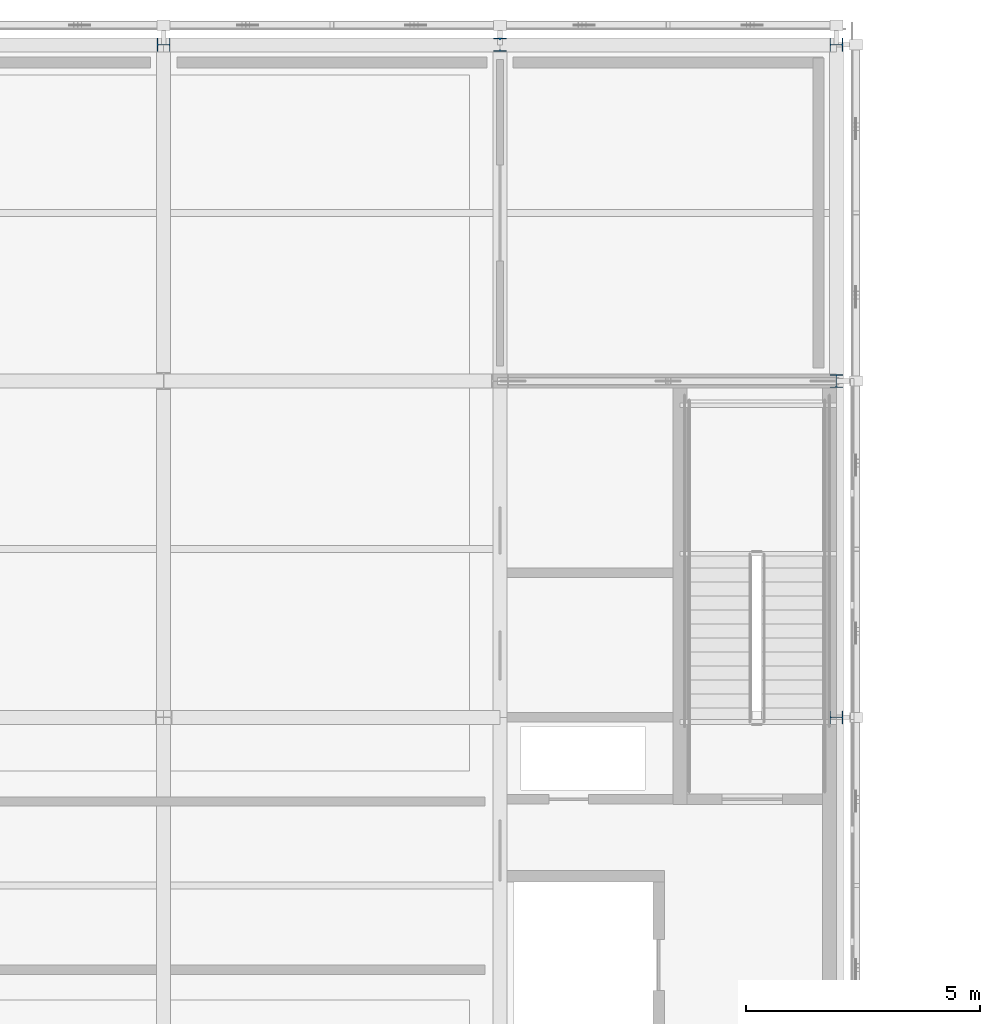
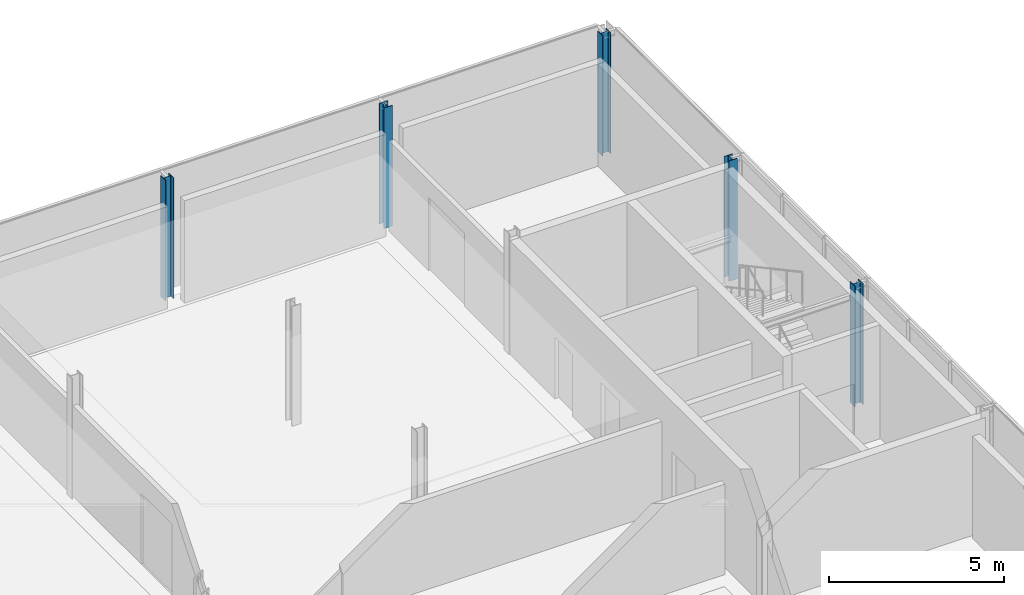
# One storey, part 12 of 103: 5 columns.
"""IFC4 building model written with IfcOpenShell, lengths in metres."""

from ifc_helpers import new_model, si_unit, direction, frame, origin, origin_2d, place, context, subcontext, project, spatial, i_section, extrude, material, material_profile, profile_set, type_object, element, save


model = new_model("IFC4")

# Units and contexts
model_context = context("Model", 3, precision=1e-05, world=origin(), true_north=direction((0.0, 1.0)))
body_context = subcontext(model_context, "Body", "Model", "MODEL_VIEW")
ifc_project = project(units=[si_unit("LENGTHUNIT", "METRE"), si_unit("AREAUNIT", "SQUARE_METRE"), si_unit("VOLUMEUNIT", "CUBIC_METRE"), si_unit("PLANEANGLEUNIT", "RADIAN"), si_unit("MASSUNIT", "GRAM", prefix="KILO")], contexts=[model_context])

# Site, building, storey
site_placement = place(None, origin())
site = spatial("IfcSite", under=ifc_project, at=site_placement, CompositionType="ELEMENT")
building_placement = place(site_placement, origin())
building = spatial("IfcBuilding", under=site, at=building_placement, Name="Zlatovets Crest Museum", CompositionType="ELEMENT")
storey_placement = place(building_placement, frame((0.0, 0.0, 12.89990234375)))
storey = spatial("IfcBuildingStorey", under=building, at=storey_placement, Name="L03", CompositionType="ELEMENT", Elevation=12.89990234375)

# Columns
ifc_material = material(Name="Structural steel S355J2", Category="steel")
ifc_material_profile = material_profile(ifc_material, i_section(OverallWidth=0.280029296875, OverallDepth=0.280029296875, WebThickness=0.010498046875, FlangeThickness=0.01806640625, FilletRadius=0.02392578125, at=origin_2d()), Name="HEB 280")
ifc_profile_set = profile_set([ifc_material_profile], Name="Structural steel S355J2")
column_type = type_object("IfcColumnType", Name="Col_C-17", PredefinedType="COLUMN", material=ifc_profile_set)
for number, where, z_axis, x_axis, name in (
    (1, (93.60009765625, 115.199951171875, 0.0), (0.0, 0.0, 1.0), (0.0, 1.0, 0.0), "V1 L03 Column (93.6, 115.2)"),
    (2, (100.800048828125, 115.199951171875, 0.0), (0.0, 0.0, 1.0), (1.0, 0.0, 0.0), "V1 L03 Column (100.8, 115.2)"),
    (3, (108.0, 100.800048828125, 0.0), (0.0, 0.0, 1.0), (0.0, 1.0, 0.0), "V1 L03 Column (108.0, 100.8)"),
    (4, (108.0, 108.0, 0.0), (0.0, 0.0, 1.0), (1.0, 0.0, 0.0), "V1 L03 Column (108.0, 108.0)"),
    (5, (108.0, 115.199951171875, 0.0), (0.0, 0.0, 1.0), (0.0, 1.0, 0.0), "V1 L03 Column (108.0, 115.2)"),
):
    element("IfcColumn", number, at=place(storey_placement, frame(where, z_axis=z_axis, x_axis=x_axis)), inside=storey, type_object=column_type, Name=name, PredefinedType="COLUMN", context=body_context, shape_type="SweptSolid", body=[
        extrude(i_section(OverallWidth=0.280029296875, OverallDepth=0.280029296875, WebThickness=0.010498046875, FlangeThickness=0.01806640625, FilletRadius=0.02392578125, at=origin_2d()), origin(), (0.0, 0.0, 1.0), 4.2001953125),
    ])

save(model, "model.ifc")
